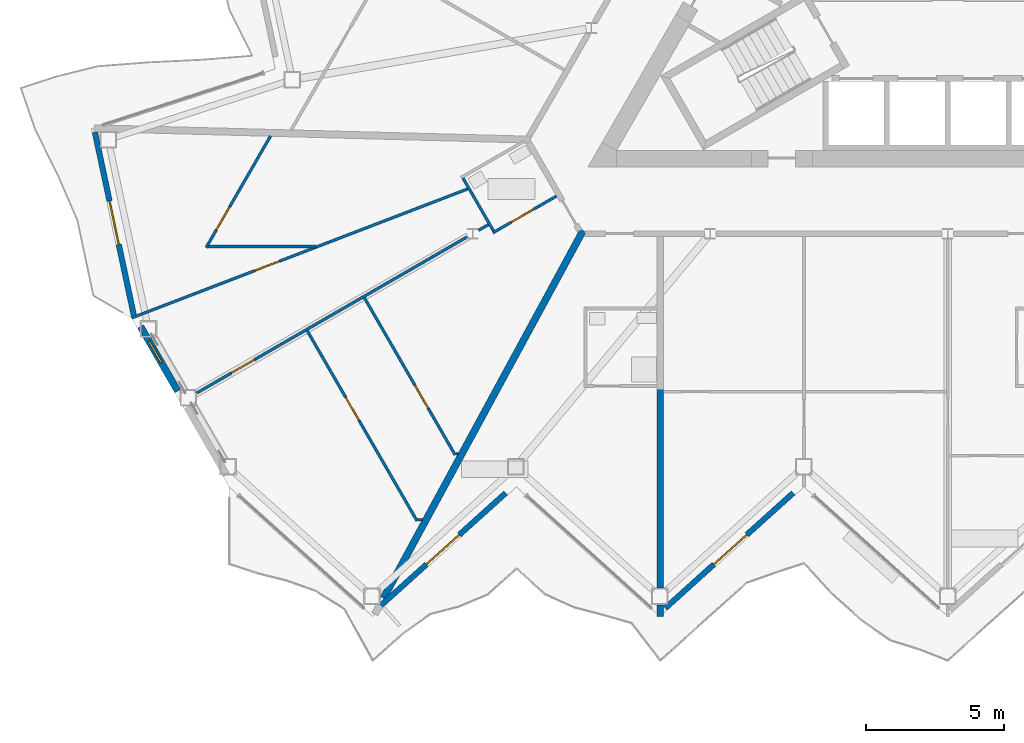
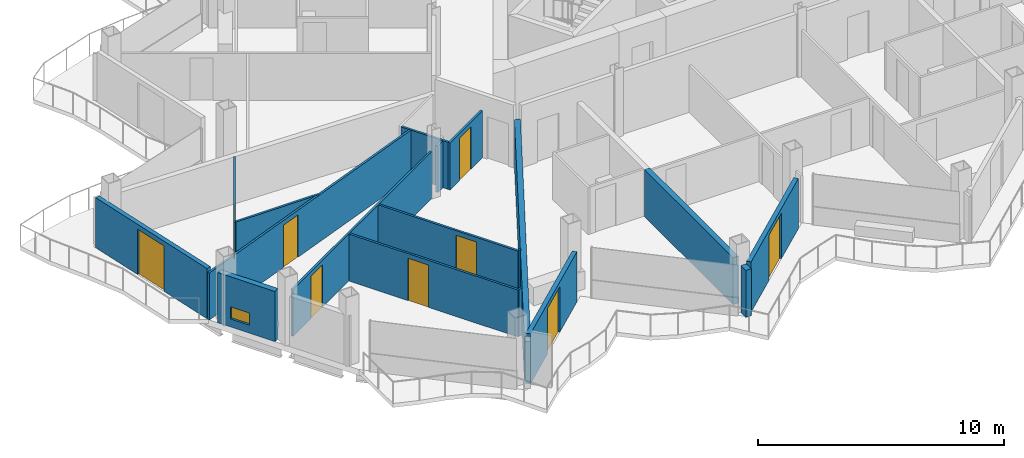
# One storey, part 13 of 28: 18 walls, 9 doors, 1 window, 10 openings.
"""IFC4 building model written with IfcOpenShell, lengths in metres."""

from ifc_helpers import new_model, si_unit, direction, frame, frame_2d, origin, place, context, subcontext, project, spatial, rectangle, extrude, material, layer, layer_set, type_object, element, fill, save


model = new_model("IFC4")

# Units and contexts
model_context = context("Model", 3, precision=1e-05, world=origin(), true_north=direction((0.0, 1.0)))
body_context = subcontext(model_context, "Body", "Model", "MODEL_VIEW")
ifc_project = project(units=[si_unit("LENGTHUNIT", "METRE"), si_unit("AREAUNIT", "SQUARE_METRE"), si_unit("VOLUMEUNIT", "CUBIC_METRE"), si_unit("PLANEANGLEUNIT", "RADIAN"), si_unit("MASSUNIT", "GRAM", prefix="KILO")], contexts=[model_context])

# Site, building, storey
site_placement = place(None, origin())
site = spatial("IfcSite", under=ifc_project, at=site_placement, CompositionType="ELEMENT")
building_placement = place(site_placement, origin())
building = spatial("IfcBuilding", under=site, at=building_placement, Name="Cormorant Prow Tower", CompositionType="ELEMENT")
storey_placement = place(building_placement, frame((0.0, 0.0, 308.60009765625)))
storey = spatial("IfcBuildingStorey", under=building, at=storey_placement, Name="L67", CompositionType="ELEMENT", Elevation=308.60009765625)

# Wall, opening, door
ifc_material_1 = material(Name="Gypsum board partition")
ifc_layer_1 = layer(ifc_material_1, 0.10009765625)
ifc_layer_set_1 = layer_set([ifc_layer_1], Name="Gypsum board partition")
wall_type_1 = type_object("IfcWallType", Name="Internal partition 100", PredefinedType="PARTITIONING", material=ifc_layer_set_1)
wall_1_placement = place(storey_placement, frame((-29.4794921875, -12.949951171875, 0.0), z_axis=(0.0, 0.0, 1.0), x_axis=(0.933581523131, 0.358365092703, 0.0)))
wall_1 = element("IfcWall", 1, at=wall_1_placement, inside=storey, type_object=wall_type_1, Name="Internal partition", PredefinedType="PARTITIONING", context=body_context, shape_type="SweptSolid", body=[
    extrude(rectangle(XDim=13.004638671875, YDim=0.10009765625, at=frame_2d((6.50244140625, 0.0))), origin(), (0.0, 0.0, 1.0), 2.330078125),
])
opening_1_placement = place(wall_1_placement, frame((4.771240234375, 0.0, 0.0)))
opening_1 = element("IfcOpeningElement", 2, at=opening_1_placement, cuts=wall_1, Name="Opening L67-F56", PredefinedType="OPENING", context=body_context, shape_type="SweptSolid", body=[
    extrude(rectangle(XDim=0.949951171875, YDim=2.10009765625, at=frame_2d((0.47509765625, 1.050048828125))), frame((0.0, 0.06005859375, 0.0), z_axis=(0.0, -1.0, 0.0), x_axis=(1.0, 0.0, 0.0)), (0.0, 0.0, 1.0), 0.1201171875),
])
ifc_material_2 = material(Name="Timber door leaf", Category="wood")
door_type_1 = type_object("IfcDoorType", Name="Bathroom door 950x2100", OperationType="NOTDEFINED", PredefinedType="DOOR", material=ifc_material_2)
door_1_placement = place(opening_1_placement, origin())
door_1 = element("IfcDoor", 3, at=door_1_placement, inside=storey, type_object=door_type_1, Name="Bedroom door", OperationType="SINGLE_SWING_RIGHT", OverallHeight=2.10009765625, OverallWidth=0.949951171875, PredefinedType="DOOR", context=body_context, shape_type="SweptSolid", body=[
    extrude(rectangle(XDim=0.949951171875, YDim=2.10009765625, at=frame_2d((0.47509765625, 1.050048828125))), frame((0.0, 0.02490234375, 0.0), z_axis=(0.0, -1.0, 0.0), x_axis=(1.0, 0.0, 0.0)), (0.0, 0.0, 1.0), 0.050048828125),
])
fill(opening_1, door_1)

wall_2_placement = place(storey_placement, frame((-27.122314453125, -15.6591796875, 0.0), z_axis=(0.0, 0.0, 1.0), x_axis=(0.866021046153, 0.500007547564, 0.0)))
wall_2 = element("IfcWall", 4, at=wall_2_placement, inside=storey, type_object=wall_type_1, Name="Internal partition", PredefinedType="PARTITIONING", context=body_context, shape_type="SweptSolid", body=[
    extrude(rectangle(XDim=11.267333984375, YDim=0.10009765625, at=frame_2d((5.6337890625, 0.0))), origin(), (0.0, 0.0, 1.0), 2.330078125),
])
opening_2_placement = place(wall_2_placement, frame((1.4521484375, 0.0, 0.0)))
opening_2 = element("IfcOpeningElement", 5, at=opening_2_placement, cuts=wall_2, Name="Opening L67-F55", PredefinedType="OPENING", context=body_context, shape_type="SweptSolid", body=[
    extrude(rectangle(XDim=0.949951171875, YDim=2.10009765625, at=frame_2d((0.47509765625, 1.050048828125))), frame((0.0, 0.06005859375, 0.0), z_axis=(0.0, -1.0, 0.0), x_axis=(1.0, 0.0, 0.0)), (0.0, 0.0, 1.0), 0.1201171875),
])
door_2_placement = place(opening_2_placement, origin())
door_2 = element("IfcDoor", 6, at=door_2_placement, inside=storey, type_object=door_type_1, Name="Dining room door", OperationType="SINGLE_SWING_RIGHT", OverallHeight=2.10009765625, OverallWidth=0.949951171875, PredefinedType="DOOR", context=body_context, shape_type="SweptSolid", body=[
    extrude(rectangle(XDim=0.949951171875, YDim=2.10009765625, at=frame_2d((0.47509765625, 1.050048828125))), frame((0.0, 0.02490234375, 0.0), z_axis=(0.0, -1.0, 0.0), x_axis=(1.0, 0.0, 0.0)), (0.0, 0.0, 1.0), 0.050048828125),
])
fill(opening_2, door_2)

wall_3_placement = place(storey_placement, frame((-23.1328125, -13.41357421875, 0.0), z_axis=(0.0, 0.0, 1.0), x_axis=(0.500014841469, -0.866016834889, 0.0)))
wall_3 = element("IfcWall", 7, at=wall_3_placement, inside=storey, type_object=wall_type_1, Name="Internal partition", PredefinedType="PARTITIONING", context=body_context, shape_type="SweptSolid", body=[
    extrude(rectangle(XDim=7.926513671875, YDim=0.10009765625, at=frame_2d((3.96337890625, 0.0))), origin(), (0.0, 0.0, 1.0), 2.330078125),
])
opening_3_placement = place(wall_3_placement, frame((2.780029296875, 0.0, 0.0)))
opening_3 = element("IfcOpeningElement", 8, at=opening_3_placement, cuts=wall_3, Name="Opening L67-F54", PredefinedType="OPENING", context=body_context, shape_type="SweptSolid", body=[
    extrude(rectangle(XDim=0.949951171875, YDim=2.10009765625, at=frame_2d((0.47509765625, 1.050048828125))), frame((0.0, 0.06005859375, 0.0), z_axis=(0.0, -1.0, 0.0), x_axis=(1.0, 0.0, 0.0)), (0.0, 0.0, 1.0), 0.1201171875),
])
door_3_placement = place(opening_3_placement, origin())
door_3 = element("IfcDoor", 9, at=door_3_placement, inside=storey, type_object=door_type_1, Name="Kitchen door", OperationType="SINGLE_SWING_RIGHT", OverallHeight=2.10009765625, OverallWidth=0.949951171875, PredefinedType="DOOR", context=body_context, shape_type="SweptSolid", body=[
    extrude(rectangle(XDim=0.949951171875, YDim=2.10009765625, at=frame_2d((0.47509765625, 1.050048828125))), frame((0.0, 0.02490234375, 0.0), z_axis=(0.0, -1.0, 0.0), x_axis=(1.0, 0.0, 0.0)), (0.0, 0.0, 1.0), 0.050048828125),
])
fill(opening_3, door_3)

wall_4_placement = place(storey_placement, frame((-21.06884765625, -12.221923828125, 0.0), z_axis=(0.0, 0.0, 1.0), x_axis=(0.499991310556, -0.866030420579, 0.0)))
wall_4 = element("IfcWall", 10, at=wall_4_placement, inside=storey, type_object=wall_type_1, Name="Internal partition", PredefinedType="PARTITIONING", context=body_context, shape_type="SweptSolid", body=[
    extrude(rectangle(XDim=6.55029296875, YDim=0.10009765625, at=frame_2d((3.275146484375, 0.0))), origin(), (0.0, 0.0, 1.0), 2.330078125),
])
opening_4_placement = place(wall_4_placement, frame((3.650390625, 0.0, 0.0)))
opening_4 = element("IfcOpeningElement", 11, at=opening_4_placement, cuts=wall_4, Name="Opening L67-F53", PredefinedType="OPENING", context=body_context, shape_type="SweptSolid", body=[
    extrude(rectangle(XDim=0.949951171875, YDim=2.10009765625, at=frame_2d((0.47509765625, 1.050048828125))), frame((0.0, 0.06005859375, 0.0), z_axis=(0.0, -1.0, 0.0), x_axis=(1.0, 0.0, 0.0)), (0.0, 0.0, 1.0), 0.1201171875),
])
door_4_placement = place(opening_4_placement, origin())
door_4 = element("IfcDoor", 12, at=door_4_placement, inside=storey, type_object=door_type_1, Name="Living room door", OperationType="SINGLE_SWING_LEFT", OverallHeight=2.10009765625, OverallWidth=0.949951171875, PredefinedType="DOOR", context=body_context, shape_type="SweptSolid", body=[
    extrude(rectangle(XDim=0.949951171875, YDim=2.10009765625, at=frame_2d((0.47509765625, 1.050048828125))), frame((0.0, 0.02490234375, 0.0), z_axis=(0.0, -1.0, 0.0), x_axis=(1.0, 0.0, 0.0)), (0.0, 0.0, 1.0), 0.050048828125),
])
fill(opening_4, door_4)

wall_5_placement = place(storey_placement, frame((-26.78759765625, -10.41015625, 0.0), z_axis=(0.0, 0.0, 1.0), x_axis=(0.499997484116, 0.866026856326, 0.0)))
wall_5 = element("IfcWall", 13, at=wall_5_placement, inside=storey, type_object=wall_type_1, Name="Internal partition", PredefinedType="PARTITIONING", context=body_context, shape_type="SweptSolid", body=[
    extrude(rectangle(XDim=4.66162109375, YDim=0.10009765625, at=frame_2d((2.330810546875, 0.0))), origin(), (0.0, 0.0, 1.0), 2.330078125),
])
opening_5_placement = place(wall_5_placement, frame((0.751708984375, 0.0, 0.0)))
opening_5 = element("IfcOpeningElement", 14, at=opening_5_placement, cuts=wall_5, Name="Opening L67-F57", PredefinedType="OPENING", context=body_context, shape_type="SweptSolid", body=[
    extrude(rectangle(XDim=0.949951171875, YDim=2.10009765625, at=frame_2d((0.47509765625, 1.050048828125))), frame((0.0, 0.06005859375, 0.0), z_axis=(0.0, -1.0, 0.0), x_axis=(1.0, 0.0, 0.0)), (0.0, 0.0, 1.0), 0.1201171875),
])
door_5_placement = place(opening_5_placement, origin())
door_5 = element("IfcDoor", 15, at=door_5_placement, inside=storey, type_object=door_type_1, Name="Bedroom door", OperationType="SINGLE_SWING_LEFT", OverallHeight=2.10009765625, OverallWidth=0.949951171875, PredefinedType="DOOR", context=body_context, shape_type="SweptSolid", body=[
    extrude(rectangle(XDim=0.949951171875, YDim=2.10009765625, at=frame_2d((0.47509765625, 1.050048828125))), frame((0.0, 0.02490234375, 0.0), z_axis=(0.0, -1.0, 0.0), x_axis=(1.0, 0.0, 0.0)), (0.0, 0.0, 1.0), 0.050048828125),
])
fill(opening_5, door_5)

# Wall
wall_6_placement = place(storey_placement, frame((-26.71240234375, -10.36669921875, 0.0), z_axis=(0.0, 0.0, 1.0), x_axis=(1.0, 0.0, 0.0)))
element("IfcWall", 16, at=wall_6_placement, inside=storey, type_object=wall_type_1, Name="Internal partition", PredefinedType="PARTITIONING", context=body_context, shape_type="SweptSolid", body=[
    extrude(rectangle(XDim=3.892578125, YDim=0.10009765625, at=frame_2d((1.9462890625, 0.0))), origin(), (0.0, 0.0, 1.0), 2.330078125),
])

# Wall, opening, door
wall_7_placement = place(storey_placement, frame((-16.425537109375, -9.872314453125, 0.0), z_axis=(0.0, 0.0, 1.0), x_axis=(0.866029095148, 0.499993606316, 0.0)))
wall_7 = element("IfcWall", 17, at=wall_7_placement, inside=storey, type_object=wall_type_1, Name="Internal partition", PredefinedType="PARTITIONING", context=body_context, shape_type="SweptSolid", body=[
    extrude(rectangle(XDim=2.64990234375, YDim=0.10009765625, at=frame_2d((1.324951171875, 0.0))), origin(), (0.0, 0.0, 1.0), 2.330078125),
])
opening_6_placement = place(wall_7_placement, frame((0.75, 0.0, 0.0)))
opening_6 = element("IfcOpeningElement", 18, at=opening_6_placement, cuts=wall_7, Name="Opening L67-F52", PredefinedType="OPENING", context=body_context, shape_type="SweptSolid", body=[
    extrude(rectangle(XDim=0.949951171875, YDim=2.10009765625, at=frame_2d((0.47509765625, 1.050048828125))), frame((0.0, 0.06005859375, 0.0), z_axis=(0.0, -1.0, 0.0), x_axis=(1.0, 0.0, 0.0)), (0.0, 0.0, 1.0), 0.1201171875),
])
door_6_placement = place(opening_6_placement, origin())
door_6 = element("IfcDoor", 19, at=door_6_placement, inside=storey, type_object=door_type_1, Name="Living room door", OperationType="SINGLE_SWING_LEFT", OverallHeight=2.10009765625, OverallWidth=0.949951171875, PredefinedType="DOOR", context=body_context, shape_type="SweptSolid", body=[
    extrude(rectangle(XDim=0.949951171875, YDim=2.10009765625, at=frame_2d((0.47509765625, 1.050048828125))), frame((0.0, 0.02490234375, 0.0), z_axis=(0.0, -1.0, 0.0), x_axis=(1.0, 0.0, 0.0)), (0.0, 0.0, 1.0), 0.050048828125),
])
fill(opening_6, door_6)

# Walls
wall_8_placement = place(storey_placement, frame((-17.507080078125, -7.89892578125, 0.0), z_axis=(0.0, 0.0, 1.0), x_axis=(0.499946605688, -0.86605622881, 0.0)))
element("IfcWall", 20, at=wall_8_placement, inside=storey, type_object=wall_type_1, Name="Internal partition", PredefinedType="PARTITIONING", context=body_context, shape_type="SweptSolid", body=[
    extrude(rectangle(XDim=2.199951171875, YDim=0.10009765625, at=frame_2d((1.10009765625, 0.0))), origin(), (0.0, 0.0, 1.0), 2.330078125),
])
wall_9_placement = place(storey_placement, frame((-16.94921875, -9.78564453125, 0.0), z_axis=(0.0, 0.0, 1.0), x_axis=(0.866036909293, 0.499980071345, 0.0)))
element("IfcWall", 21, at=wall_9_placement, inside=storey, type_object=wall_type_1, Name="Internal partition", PredefinedType="PARTITIONING", context=body_context, shape_type="SweptSolid", body=[
    extrude(rectangle(XDim=0.41015625, YDim=0.10009765625, at=frame_2d((0.205078125, 0.0))), origin(), (0.0, 0.0, 1.0), 2.330078125),
])
wall_10_placement = place(storey_placement, frame((-19.14453125, -20.23486328125, 0.0), z_axis=(0.0, 0.0, 1.0), x_axis=(1.0, 0.0, 0.0)))
element("IfcWall", 22, at=wall_10_placement, inside=storey, type_object=wall_type_1, Name="Internal partition", PredefinedType="PARTITIONING", context=body_context, shape_type="SweptSolid", body=[
    extrude(rectangle(XDim=0.18017578125, YDim=0.10009765625, at=frame_2d((0.090087890625, 0.0))), origin(), (0.0, 0.0, 1.0), 2.330078125),
])
wall_11_placement = place(storey_placement, frame((-17.7685546875, -17.8515625, 0.0), z_axis=(0.0, 0.0, 1.0), x_axis=(1.0, 0.0, 0.0)))
element("IfcWall", 23, at=wall_11_placement, inside=storey, type_object=wall_type_1, Name="Internal partition", PredefinedType="PARTITIONING", context=body_context, shape_type="SweptSolid", body=[
    extrude(rectangle(XDim=0.09814453125, YDim=0.10009765625, at=frame_2d((0.049072265625, 0.0))), origin(), (0.0, 0.0, 1.0), 2.330078125),
])
ifc_material_3 = material(Name="Acoustic gypsum party wall")
ifc_layer_2 = layer(ifc_material_3, 0.25)
ifc_layer_set_2 = layer_set([ifc_layer_2], Name="Acoustic gypsum party wall")
wall_type_2 = type_object("IfcWallType", Name="Suite party wall 250", PredefinedType="PARTITIONING", material=ifc_layer_set_2)
wall_12_placement = place(storey_placement, frame((-20.38330078125, -23.078125, 0.0), z_axis=(0.0, 0.0, 1.0), x_axis=(0.477177412766, 0.878806984921, 0.0)))
element("IfcWall", 24, at=wall_12_placement, inside=storey, type_object=wall_type_2, Name="Suite party wall", PredefinedType="PARTITIONING", context=body_context, shape_type="SweptSolid", body=[
    extrude(rectangle(XDim=15.1142578125, YDim=0.25, at=frame_2d((7.55712890625, 0.0))), origin(), (0.0, 0.0, 1.0), 2.330078125),
])
wall_13_placement = place(storey_placement, frame((-10.3818359375, -22.697998046875, 0.0), z_axis=(0.0, 0.0, 1.0), x_axis=(0.0, 1.0, 0.0)))
element("IfcWall", 25, at=wall_13_placement, inside=storey, type_object=wall_type_2, Name="Suite party wall", PredefinedType="PARTITIONING", context=body_context, shape_type="SweptSolid", body=[
    extrude(rectangle(XDim=7.220458984375, YDim=0.25, at=frame_2d((3.6103515625, 0.0))), origin(), (0.0, 0.0, 1.0), 2.330078125),
])
wall_14_placement = place(storey_placement, frame((-10.3818359375, -23.72900390625, 0.0), z_axis=(0.0, 0.0, 1.0), x_axis=(0.0, 1.0, 0.0)))
element("IfcWall", 26, at=wall_14_placement, inside=storey, type_object=wall_type_2, Name="Suite party wall", PredefinedType="PARTITIONING", context=body_context, shape_type="SweptSolid", body=[
    extrude(rectangle(XDim=0.410888671875, YDim=0.25, at=frame_2d((0.20556640625, 0.0))), origin(), (0.0, 0.0, 1.0), 2.330078125),
])

# Wall, opening, window
ifc_material_4 = material(Name="Terracotta", Category="masonry")
ifc_layer_3 = layer(ifc_material_4, 0.25)
ifc_layer_set_3 = layer_set([ifc_layer_3], Name="Terracotta")
wall_type_3 = type_object("IfcWallType", Name="Terracotta bay wall 250", PredefinedType="SOLIDWALL", material=ifc_layer_set_3)
wall_15_placement = place(storey_placement, frame((-29.154296875, -13.263427734375, 0.0), z_axis=(0.0, 0.0, 1.0), x_axis=(0.500032109083, -0.866006864803, 0.0)))
wall_15 = element("IfcWall", 27, at=wall_15_placement, inside=storey, type_object=wall_type_3, Name="Terracotta bay wall WSW00", PredefinedType="SOLIDWALL", context=body_context, shape_type="SweptSolid", body=[
    extrude(rectangle(XDim=2.684326171875, YDim=0.25, at=frame_2d((1.34228515625, 0.0))), origin(), (0.0, 0.0, 1.0), 2.48779296875),
])
opening_7_placement = place(wall_15_placement, frame((0.60009765625, 0.0, 0.39990234375)))
opening_7 = element("IfcOpeningElement", 28, at=opening_7_placement, cuts=wall_15, Name="Opening WN7", PredefinedType="OPENING", context=body_context, shape_type="SweptSolid", body=[
    extrude(rectangle(XDim=0.89990234375, YDim=0.60009765625, at=frame_2d((0.449951171875, 0.300048828125))), frame((0.0, 0.135009765625, 0.0), z_axis=(0.0, -1.0, 0.0), x_axis=(1.0, 0.0, 0.0)), (0.0, 0.0, 1.0), 0.27001953125),
])
ifc_material_5 = material(Name="Aluminium 6063-T6", Category="aluminium")
window_type = type_object("IfcWindowType", Name="Corner bay window 900x600", PartitioningType="SINGLE_PANEL", PredefinedType="WINDOW", material=ifc_material_5)
window_placement = place(opening_7_placement, origin())
window = element("IfcWindow", 29, at=window_placement, inside=storey, type_object=window_type, Name="Corner bay window WSW00", OverallHeight=0.60009765625, OverallWidth=0.89990234375, PartitioningType="SINGLE_PANEL", PredefinedType="WINDOW", context=body_context, shape_type="SweptSolid", body=[
    extrude(rectangle(XDim=0.89990234375, YDim=0.60009765625, at=frame_2d((0.449951171875, 0.300048828125))), frame((0.0, 0.030029296875, 0.0), z_axis=(0.0, -1.0, 0.0), x_axis=(1.0, 0.0, 0.0)), (0.0, 0.0, 1.0), 0.06005859375),
])
fill(opening_7, window)

# Wall, opening, door
ifc_material_6 = material(Name="Terracotta", Category="masonry")
ifc_layer_4 = layer(ifc_material_6, 0.199951171875)
ifc_layer_set_4 = layer_set([ifc_layer_4], Name="Terracotta")
wall_type_4 = type_object("IfcWallType", Name="Terracotta jamb wall 200", PredefinedType="SOLIDWALL", material=ifc_layer_set_4)
wall_16_placement = place(storey_placement, frame((-20.508056640625, -23.3642578125, 0.0), z_axis=(0.0, 0.0, 1.0), x_axis=(0.743135364919, 0.669141113224, 0.0)))
wall_16 = element("IfcWall", 30, at=wall_16_placement, inside=storey, type_object=wall_type_4, Name="Terracotta jamb wall S01", PredefinedType="SOLIDWALL", context=body_context, shape_type="SweptSolid", body=[
    extrude(rectangle(XDim=6.1171875, YDim=0.199951171875, at=frame_2d((3.05859375, 0.0))), origin(), (0.0, 0.0, 1.0), 2.48779296875),
])
opening_8_placement = place(wall_16_placement, frame((2.258544921875, 0.0, 0.0)))
opening_8 = element("IfcOpeningElement", 31, at=opening_8_placement, cuts=wall_16, Name="Opening ED67.01", PredefinedType="OPENING", context=body_context, shape_type="SweptSolid", body=[
    extrude(rectangle(XDim=1.60009765625, YDim=2.25, at=frame_2d((0.800048828125, 1.125))), frame((0.0, 0.10986328125, 0.0), z_axis=(0.0, -1.0, 0.0), x_axis=(1.0, 0.0, 0.0)), (0.0, 0.0, 1.0), 0.219970703125),
])
ifc_material_7 = material(Name="Aluminium 6063-T6", Category="aluminium")
door_type_2 = type_object("IfcDoorType", Name="Balcony door 1600x2250", OperationType="DOUBLE_DOOR_SINGLE_SWING", PredefinedType="DOOR", material=ifc_material_7)
door_7_placement = place(opening_8_placement, origin())
door_7 = element("IfcDoor", 32, at=door_7_placement, inside=storey, type_object=door_type_2, Name="Balcony door S01 ED67.01", OperationType="DOUBLE_DOOR_SINGLE_SWING", OverallHeight=2.25, OverallWidth=1.60009765625, PredefinedType="DOOR", context=body_context, shape_type="SweptSolid", body=[
    extrude(rectangle(XDim=1.60009765625, YDim=2.25, at=frame_2d((0.800048828125, 1.125))), frame((0.0, 0.02490234375, 0.0), z_axis=(0.0, -1.0, 0.0), x_axis=(1.0, 0.0, 0.0)), (0.0, 0.0, 1.0), 0.050048828125),
])
fill(opening_8, door_7)

wall_17_placement = place(storey_placement, frame((-10.203369140625, -23.43359375, 0.0), z_axis=(0.0, 0.0, 1.0), x_axis=(0.74314582041, 0.669129501373, 0.0)))
wall_17 = element("IfcWall", 33, at=wall_17_placement, inside=storey, type_object=wall_type_4, Name="Terracotta jamb wall S03", PredefinedType="SOLIDWALL", context=body_context, shape_type="SweptSolid", body=[
    extrude(rectangle(XDim=6.220947265625, YDim=0.199951171875, at=frame_2d((3.1103515625, 0.0))), origin(), (0.0, 0.0, 1.0), 2.48779296875),
])
opening_9_placement = place(wall_17_placement, frame((2.3623046875, 0.0, 0.0)))
opening_9 = element("IfcOpeningElement", 34, at=opening_9_placement, cuts=wall_17, Name="Opening ED67.02", PredefinedType="OPENING", context=body_context, shape_type="SweptSolid", body=[
    extrude(rectangle(XDim=1.60009765625, YDim=2.25, at=frame_2d((0.800048828125, 1.125))), frame((0.0, 0.10986328125, 0.0), z_axis=(0.0, -1.0, 0.0), x_axis=(1.0, 0.0, 0.0)), (0.0, 0.0, 1.0), 0.219970703125),
])
door_8_placement = place(opening_9_placement, origin())
door_8 = element("IfcDoor", 35, at=door_8_placement, inside=storey, type_object=door_type_2, Name="Balcony door S03 ED67.02", OperationType="DOUBLE_DOOR_SINGLE_SWING", OverallHeight=2.25, OverallWidth=1.60009765625, PredefinedType="DOOR", context=body_context, shape_type="SweptSolid", body=[
    extrude(rectangle(XDim=1.60009765625, YDim=2.25, at=frame_2d((0.800048828125, 1.125))), frame((0.0, 0.02490234375, 0.0), z_axis=(0.0, -1.0, 0.0), x_axis=(1.0, 0.0, 0.0)), (0.0, 0.0, 1.0), 0.050048828125),
])
fill(opening_9, door_8)

wall_18_placement = place(storey_placement, frame((-30.80322265625, -6.24072265625, 0.0), z_axis=(0.0, 0.0, 1.0), x_axis=(0.207917941651, -0.978146272057, 0.0)))
wall_18 = element("IfcWall", 36, at=wall_18_placement, inside=storey, type_object=wall_type_4, Name="Terracotta jamb wall WNW09", PredefinedType="SOLIDWALL", context=body_context, shape_type="SweptSolid", body=[
    extrude(rectangle(XDim=6.7587890625, YDim=0.199951171875, at=frame_2d((3.37939453125, 0.0))), origin(), (0.0, 0.0, 1.0), 2.48779296875),
])
opening_10_placement = place(wall_18_placement, frame((2.54541015625, 0.0, 0.0)))
opening_10 = element("IfcOpeningElement", 37, at=opening_10_placement, cuts=wall_18, Name="Opening ED67.15", PredefinedType="OPENING", context=body_context, shape_type="SweptSolid", body=[
    extrude(rectangle(XDim=1.60009765625, YDim=2.25, at=frame_2d((0.800048828125, 1.125))), frame((0.0, 0.10986328125, 0.0), z_axis=(0.0, -1.0, 0.0), x_axis=(1.0, 0.0, 0.0)), (0.0, 0.0, 1.0), 0.219970703125),
])
door_9_placement = place(opening_10_placement, origin())
door_9 = element("IfcDoor", 38, at=door_9_placement, inside=storey, type_object=door_type_2, Name="Balcony door WNW09 ED67.15", OperationType="DOUBLE_DOOR_SINGLE_SWING", OverallHeight=2.25, OverallWidth=1.60009765625, PredefinedType="DOOR", context=body_context, shape_type="SweptSolid", body=[
    extrude(rectangle(XDim=1.60009765625, YDim=2.25, at=frame_2d((0.800048828125, 1.125))), frame((0.0, 0.02490234375, 0.0), z_axis=(0.0, -1.0, 0.0), x_axis=(1.0, 0.0, 0.0)), (0.0, 0.0, 1.0), 0.050048828125),
])
fill(opening_10, door_9)

save(model, "model.ifc")
